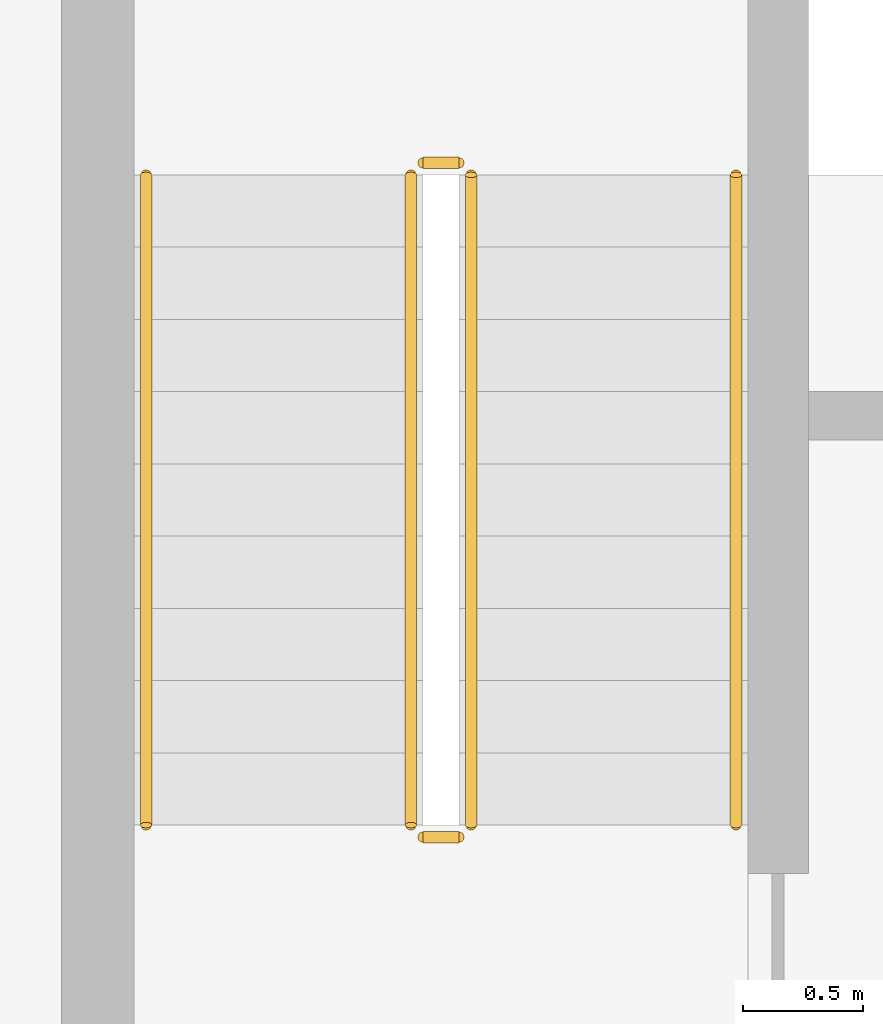
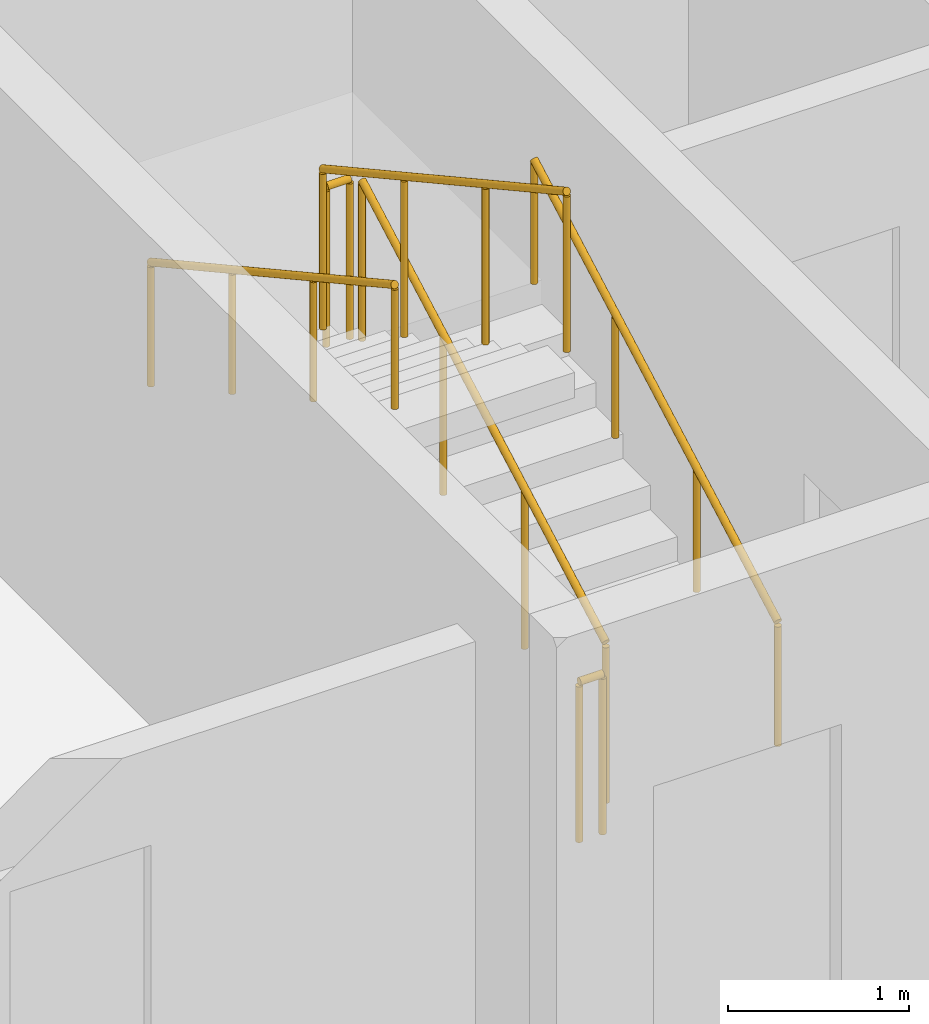
# One storey, part 180 of 198: 6 railings.
"""IFC4 building model written with IfcOpenShell, lengths in metres."""

from ifc_helpers import new_model, si_unit, direction, frame, origin, origin_2d, place, context, subcontext, project, spatial, circle, extrude, material, type_object, element, save


model = new_model("IFC4")

# Units and contexts
model_context = context("Model", 3, precision=1e-05, world=origin(), true_north=direction((0.0, 1.0)))
body_context = subcontext(model_context, "Body", "Model", "MODEL_VIEW")
ifc_project = project(units=[si_unit("LENGTHUNIT", "METRE"), si_unit("AREAUNIT", "SQUARE_METRE"), si_unit("VOLUMEUNIT", "CUBIC_METRE"), si_unit("PLANEANGLEUNIT", "RADIAN"), si_unit("MASSUNIT", "GRAM", prefix="KILO")], contexts=[model_context])

# Site, building, storey
site_placement = place(None, origin())
site = spatial("IfcSite", under=ifc_project, at=site_placement, CompositionType="ELEMENT")
building_placement = place(site_placement, origin())
building = spatial("IfcBuilding", under=site, at=building_placement, Name="Parallax Yard Mobility Hub", CompositionType="ELEMENT")
storey_placement = place(building_placement, frame((0.0, 0.0, 6.60009765625)))
storey = spatial("IfcBuildingStorey", under=building, at=storey_placement, Name="L02", CompositionType="ELEMENT", Elevation=6.60009765625)

# Railings
ifc_material = material(Name="Steel ASTM A36", Category="steel")
railing_type_1 = type_object("IfcRailingType", Name="Stair guard 1100", PredefinedType="GUARDRAIL", material=ifc_material)
railing_1_placement = place(storey_placement, frame((129.199951171875, 47.39990234375, 0.164794921875)))
element("IfcRailing", 1, at=railing_1_placement, inside=storey, type_object=railing_type_1, Name="L02 ST13 stair guard 1", PredefinedType="GUARDRAIL", context=body_context, shape_type="SweptSolid", body=[
    extrude(circle(Radius=0.02392578125, at=origin_2d()), frame((0.0, 0.0, 1.076171875), z_axis=(0.0, 0.876215908677, 0.481918749772), x_axis=(-1.0, 0.0, 0.0)), (0.0, 0.0, 1.0), 3.08154296875),
    extrude(circle(Radius=0.02099609375, at=origin_2d()), origin(), (0.0, 0.0, 1.0), 1.052001953125),
    extrude(circle(Radius=0.02099609375, at=origin_2d()), frame((0.0, 0.900146484375, 0.4951171875)), (0.0, 0.0, 1.0), 1.052001953125),
    extrude(circle(Radius=0.02099609375, at=origin_2d()), frame((0.0, 1.800048828125, 0.989990234375)), (0.0, 0.0, 1.0), 1.052001953125),
    extrude(circle(Radius=0.02099609375, at=origin_2d()), frame((0.0, 2.7001953125, 1.485107421875)), (0.0, 0.0, 1.0), 1.052001953125),
])
railing_2_placement = place(storey_placement, frame((129.14990234375, 50.14990234375, 1.64990234375)))
element("IfcRailing", 2, at=railing_2_placement, inside=storey, type_object=railing_type_1, Name="L02 ST13 stair guard 2", PredefinedType="GUARDRAIL", context=body_context, shape_type="SweptSolid", body=[
    extrude(circle(Radius=0.02392578125, at=origin_2d()), frame((0.0, 0.0, 1.076171875), z_axis=(-1.0, 0.0, 0.0), x_axis=(0.0, -1.0, 0.0)), (0.0, 0.0, 1.0), 0.14990234375),
    extrude(circle(Radius=0.02099609375, at=origin_2d()), origin(), (0.0, 0.0, 1.0), 1.052001953125),
    extrude(circle(Radius=0.02099609375, at=origin_2d()), frame((-0.14990234375, 0.0, 0.0)), (0.0, 0.0, 1.0), 1.052001953125),
])
railing_3_placement = place(storey_placement, frame((128.949951171875, 50.10009765625, 1.81494140625)))
element("IfcRailing", 3, at=railing_3_placement, inside=storey, type_object=railing_type_1, Name="L02 ST13 stair guard 3", PredefinedType="GUARDRAIL", context=body_context, shape_type="SweptSolid", body=[
    extrude(circle(Radius=0.02392578125, at=origin_2d()), frame((0.0, 0.0, 1.076171875), z_axis=(0.0, -0.876249361297, 0.481857921827), x_axis=(1.0, 0.0, 0.0)), (0.0, 0.0, 1.0), 3.08154296875),
    extrude(circle(Radius=0.02099609375, at=origin_2d()), origin(), (0.0, 0.0, 1.0), 1.052001953125),
    extrude(circle(Radius=0.02099609375, at=origin_2d()), frame((0.0, -0.900146484375, 0.494873046875)), (0.0, 0.0, 1.0), 1.052001953125),
    extrude(circle(Radius=0.02099609375, at=origin_2d()), frame((0.0, -1.800048828125, 0.989990234375)), (0.0, 0.0, 1.0), 1.052001953125),
    extrude(circle(Radius=0.02099609375, at=origin_2d()), frame((0.0, -2.7001953125, 1.48486328125)), (0.0, 0.0, 1.0), 1.052001953125),
])
railing_4_placement = place(storey_placement, frame((129.14990234375, 47.35009765625, 0.0)))
element("IfcRailing", 4, at=railing_4_placement, inside=storey, type_object=railing_type_1, Name="L02 ST13 stair guard 4", PredefinedType="GUARDRAIL", context=body_context, shape_type="SweptSolid", body=[
    extrude(circle(Radius=0.02392578125, at=origin_2d()), frame((0.0, 0.0, 1.076171875), z_axis=(-1.0, 0.0, 0.0), x_axis=(0.0, -1.0, 0.0)), (0.0, 0.0, 1.0), 0.14990234375),
    extrude(circle(Radius=0.02099609375, at=origin_2d()), origin(), (0.0, 0.0, 1.0), 1.052001953125),
    extrude(circle(Radius=0.02099609375, at=origin_2d()), frame((-0.14990234375, 0.0, 0.0)), (0.0, 0.0, 1.0), 1.052001953125),
])
railing_type_2 = type_object("IfcRailingType", Name="Stair handrail", PredefinedType="HANDRAIL", material=ifc_material)
railing_5_placement = place(storey_placement, frame((130.300048828125, 47.39990234375, 0.164794921875)))
element("IfcRailing", 5, at=railing_5_placement, inside=storey, type_object=railing_type_2, Name="L02 ST13 stair handrail 1", PredefinedType="HANDRAIL", context=body_context, shape_type="SweptSolid", body=[
    extrude(circle(Radius=0.02392578125, at=origin_2d()), frame((0.0, 0.0, 0.8310546875), z_axis=(0.0, 0.876215908677, 0.481918749772), x_axis=(-1.0, 0.0, 0.0)), (0.0, 0.0, 1.0), 3.08154296875),
    extrude(circle(Radius=0.02099609375, at=origin_2d()), origin(), (0.0, 0.0, 1.0), 0.806884765625),
    extrude(circle(Radius=0.02099609375, at=origin_2d()), frame((0.0, 0.900146484375, 0.4951171875)), (0.0, 0.0, 1.0), 0.806884765625),
    extrude(circle(Radius=0.02099609375, at=origin_2d()), frame((0.0, 1.800048828125, 0.989990234375)), (0.0, 0.0, 1.0), 0.806884765625),
    extrude(circle(Radius=0.02099609375, at=origin_2d()), frame((0.0, 2.7001953125, 1.485107421875)), (0.0, 0.0, 1.0), 0.806884765625),
])
railing_6_placement = place(storey_placement, frame((127.85009765625, 50.10009765625, 1.81494140625)))
element("IfcRailing", 6, at=railing_6_placement, inside=storey, type_object=railing_type_2, Name="L02 ST13 stair handrail 2", PredefinedType="HANDRAIL", context=body_context, shape_type="SweptSolid", body=[
    extrude(circle(Radius=0.02392578125, at=origin_2d()), frame((0.0, 0.0, 0.8310546875), z_axis=(0.0, -0.876249361297, 0.481857921827), x_axis=(1.0, 0.0, 0.0)), (0.0, 0.0, 1.0), 3.08154296875),
    extrude(circle(Radius=0.02099609375, at=origin_2d()), origin(), (0.0, 0.0, 1.0), 0.806884765625),
    extrude(circle(Radius=0.02099609375, at=origin_2d()), frame((0.0, -0.900146484375, 0.494873046875)), (0.0, 0.0, 1.0), 0.806884765625),
    extrude(circle(Radius=0.02099609375, at=origin_2d()), frame((0.0, -1.800048828125, 0.989990234375)), (0.0, 0.0, 1.0), 0.806884765625),
    extrude(circle(Radius=0.02099609375, at=origin_2d()), frame((0.0, -2.7001953125, 1.48486328125)), (0.0, 0.0, 1.0), 0.806884765625),
])

save(model, "model.ifc")
